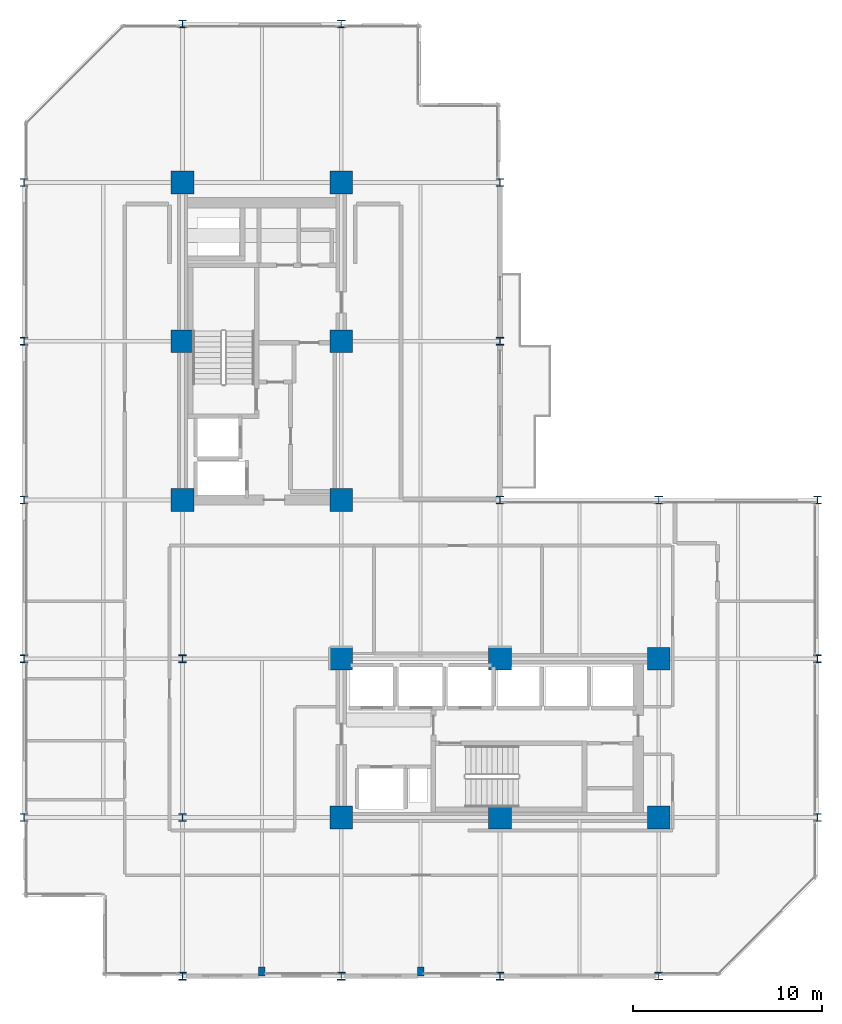
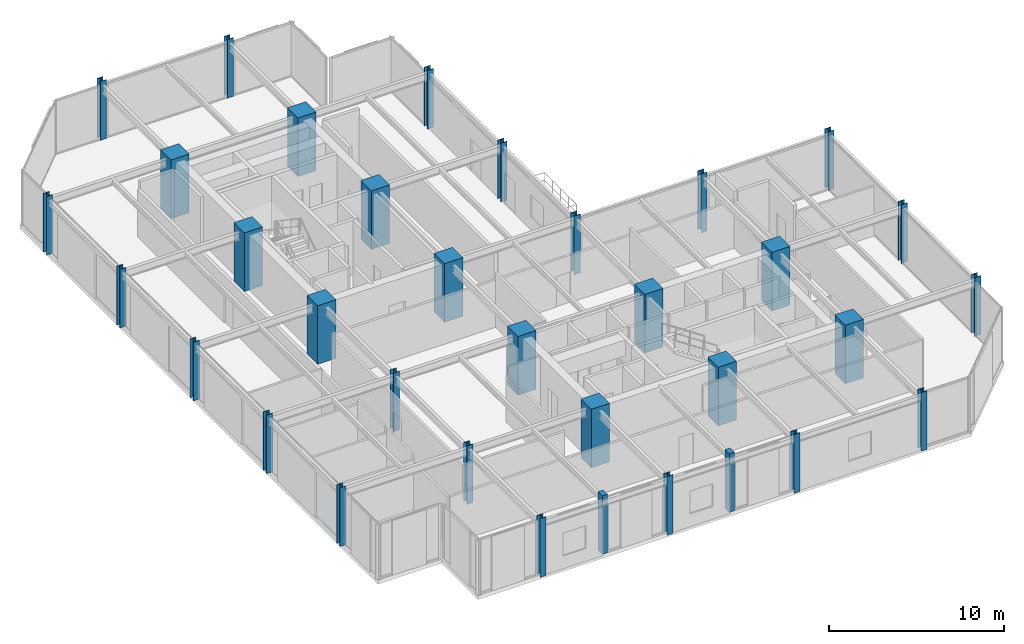
# One storey, part 1 of 29: 34 columns.
"""IFC4 building model written with IfcOpenShell, lengths in metres."""

from ifc_helpers import new_model, si_unit, direction, frame, origin, origin_2d, place, context, subcontext, project, spatial, rectangle, i_section, extrude, material, material_profile, profile_set, type_object, element, save


model = new_model("IFC4")

# Units and contexts
model_context = context("Model", 3, precision=1e-05, world=origin(), true_north=direction((0.0, 1.0)))
body_context = subcontext(model_context, "Body", "Model", "MODEL_VIEW")
ifc_project = project(units=[si_unit("LENGTHUNIT", "METRE"), si_unit("AREAUNIT", "SQUARE_METRE"), si_unit("VOLUMEUNIT", "CUBIC_METRE"), si_unit("PLANEANGLEUNIT", "RADIAN"), si_unit("MASSUNIT", "GRAM", prefix="KILO")], contexts=[model_context])

# Site, building, storey
site_placement = place(None, origin())
site = spatial("IfcSite", under=ifc_project, at=site_placement, CompositionType="ELEMENT")
building_placement = place(site_placement, origin())
building = spatial("IfcBuilding", under=site, at=building_placement, Name="Nerrivon Quay Data Exchange", CompositionType="ELEMENT")
storey_placement = place(building_placement, frame((0.0, 0.0, 145.89990234375)))
storey = spatial("IfcBuildingStorey", under=building, at=storey_placement, Name="L34", CompositionType="ELEMENT", Elevation=145.89990234375)

# Columns
ifc_material_1 = material(Name="Concrete S65 (65 MPa)", Category="concrete")
ifc_material_profile_1 = material_profile(ifc_material_1, rectangle(XDim=1.199951171875, YDim=1.199951171875, at=origin_2d()), Name="RC-COL-1200x1200")
ifc_profile_set_1 = profile_set([ifc_material_profile_1], Name="Concrete S65 (65 MPa)")
column_type_1 = type_object("IfcColumnType", Name="COL-C3-1200", PredefinedType="COLUMN", material=ifc_profile_set_1)
for number, where, z_axis, x_axis, name in (
    (1, (8.39990234375, 25.199951171875, 0.0), (0.0, 0.0, 1.0), (1.0, 0.0, 0.0), "L34 Column (8.4,25.2)"),
    (2, (8.39990234375, 33.60009765625, 0.0), (0.0, 0.0, 1.0), (1.0, 0.0, 0.0), "L34 Column (8.4,33.6)"),
    (3, (8.39990234375, 42.0, 0.0), (0.0, 0.0, 1.0), (1.0, 0.0, 0.0), "L34 Column (8.4,42.0)"),
    (4, (16.800048828125, 8.39990234375, 0.0), (0.0, 0.0, 1.0), (1.0, 0.0, 0.0), "L34 Column (16.8,8.4)"),
    (5, (16.800048828125, 16.800048828125, 0.0), (0.0, 0.0, 1.0), (1.0, 0.0, 0.0), "L34 Column (16.8,16.8)"),
    (6, (16.800048828125, 25.199951171875, 0.0), (0.0, 0.0, 1.0), (1.0, 0.0, 0.0), "L34 Column (16.8,25.2)"),
    (7, (16.800048828125, 33.60009765625, 0.0), (0.0, 0.0, 1.0), (1.0, 0.0, 0.0), "L34 Column (16.8,33.6)"),
    (8, (16.800048828125, 42.0, 0.0), (0.0, 0.0, 1.0), (1.0, 0.0, 0.0), "L34 Column (16.8,42.0)"),
    (9, (25.199951171875, 8.39990234375, 0.0), (0.0, 0.0, 1.0), (1.0, 0.0, 0.0), "L34 Column (25.2,8.4)"),
    (10, (25.199951171875, 16.800048828125, 0.0), (0.0, 0.0, 1.0), (1.0, 0.0, 0.0), "L34 Column (25.2,16.8)"),
    (11, (33.60009765625, 8.39990234375, 0.0), (0.0, 0.0, 1.0), (1.0, 0.0, 0.0), "L34 Column (33.6,8.4)"),
    (12, (33.60009765625, 16.800048828125, 0.0), (0.0, 0.0, 1.0), (1.0, 0.0, 0.0), "L34 Column (33.6,16.8)"),
):
    element("IfcColumn", number, at=place(storey_placement, frame(where, z_axis=z_axis, x_axis=x_axis)), inside=storey, type_object=column_type_1, Name=name, PredefinedType="COLUMN", context=body_context, shape_type="SweptSolid", body=[
        extrude(rectangle(XDim=1.199951171875, YDim=1.199951171875, at=origin_2d()), origin(), (0.0, 0.0, 1.0), 4.10009765625),
    ])
ifc_material_2 = material(Name="Steel Grade 350", Category="steel")
ifc_material_profile_2 = material_profile(ifc_material_2, i_section(OverallWidth=0.39990234375, OverallDepth=0.39990234375, WebThickness=0.02490234375, FlangeThickness=0.0400390625, at=origin_2d()), Name="400WC328")
ifc_profile_set_2 = profile_set([ifc_material_profile_2], Name="Steel Grade 350")
column_type_2 = type_object("IfcColumnType", Name="COL-SC2-400WC", PredefinedType="COLUMN", material=ifc_profile_set_2)
for number, where, z_axis, x_axis, name in (
    (13, (0.0, 8.39990234375, 0.0), (0.0, 0.0, 1.0), (1.0, 0.0, 0.0), "L34 Column (0.0,8.4)"),
    (14, (0.0, 16.800048828125, 0.0), (0.0, 0.0, 1.0), (1.0, 0.0, 0.0), "L34 Column (0.0,16.8)"),
    (15, (0.0, 25.199951171875, 0.0), (0.0, 0.0, 1.0), (1.0, 0.0, 0.0), "L34 Column (0.0,25.2)"),
    (16, (0.0, 33.60009765625, 0.0), (0.0, 0.0, 1.0), (1.0, 0.0, 0.0), "L34 Column (0.0,33.6)"),
    (17, (0.0, 42.0, 0.0), (0.0, 0.0, 1.0), (1.0, 0.0, 0.0), "L34 Column (0.0,42.0)"),
    (18, (8.39990234375, 0.0, 0.0), (0.0, 0.0, 1.0), (1.0, 0.0, 0.0), "L34 Column (8.4,0.0)"),
    (19, (8.39990234375, 8.39990234375, 0.0), (0.0, 0.0, 1.0), (1.0, 0.0, 0.0), "L34 Column (8.4,8.4)"),
    (20, (8.39990234375, 16.800048828125, 0.0), (0.0, 0.0, 1.0), (1.0, 0.0, 0.0), "L34 Column (8.4,16.8)"),
    (21, (8.39990234375, 50.39990234375, 0.0), (0.0, 0.0, 1.0), (1.0, 0.0, 0.0), "L34 Column (8.4,50.4)"),
    (22, (16.800048828125, 0.0, 0.0), (0.0, 0.0, 1.0), (1.0, 0.0, 0.0), "L34 Column (16.8,0.0)"),
    (23, (16.800048828125, 50.39990234375, 0.0), (0.0, 0.0, 1.0), (1.0, 0.0, 0.0), "L34 Column (16.8,50.4)"),
    (24, (25.199951171875, 0.0, 0.0), (0.0, 0.0, 1.0), (1.0, 0.0, 0.0), "L34 Column (25.2,0.0)"),
    (25, (25.199951171875, 25.199951171875, 0.0), (0.0, 0.0, 1.0), (1.0, 0.0, 0.0), "L34 Column (25.2,25.2)"),
    (26, (25.199951171875, 33.60009765625, 0.0), (0.0, 0.0, 1.0), (1.0, 0.0, 0.0), "L34 Column (25.2,33.6)"),
    (27, (25.199951171875, 42.0, 0.0), (0.0, 0.0, 1.0), (1.0, 0.0, 0.0), "L34 Column (25.2,42.0)"),
    (28, (33.60009765625, 0.0, 0.0), (0.0, 0.0, 1.0), (1.0, 0.0, 0.0), "L34 Column (33.6,0.0)"),
    (29, (33.60009765625, 25.199951171875, 0.0), (0.0, 0.0, 1.0), (1.0, 0.0, 0.0), "L34 Column (33.6,25.2)"),
    (30, (42.0, 8.39990234375, 0.0), (0.0, 0.0, 1.0), (1.0, 0.0, 0.0), "L34 Column (42.0,8.4)"),
    (31, (42.0, 16.800048828125, 0.0), (0.0, 0.0, 1.0), (1.0, 0.0, 0.0), "L34 Column (42.0,16.8)"),
    (32, (42.0, 25.199951171875, 0.0), (0.0, 0.0, 1.0), (1.0, 0.0, 0.0), "L34 Column (42.0,25.2)"),
):
    element("IfcColumn", number, at=place(storey_placement, frame(where, z_axis=z_axis, x_axis=x_axis)), inside=storey, type_object=column_type_2, Name=name, PredefinedType="COLUMN", context=body_context, shape_type="SweptSolid", body=[
        extrude(i_section(OverallWidth=0.39990234375, OverallDepth=0.39990234375, WebThickness=0.02490234375, FlangeThickness=0.0400390625, at=origin_2d()), origin(), (0.0, 0.0, 1.0), 4.10009765625),
    ])
ifc_material_3 = material(Name="Concrete N50 (50 MPa)", Category="concrete")
ifc_material_profile_3 = material_profile(ifc_material_3, rectangle(XDim=0.35009765625, YDim=0.5, at=origin_2d()), Name="RC-PIL-500x350")
ifc_profile_set_3 = profile_set([ifc_material_profile_3], Name="Concrete N50 (50 MPa)")
column_type_3 = type_object("IfcColumnType", Name="PIL-P2-500x350", PredefinedType="PILASTER", material=ifc_profile_set_3)
for number, where, z_axis, x_axis, name in (
    (33, (12.60009765625, 0.25, 0.0), (0.0, 0.0, 1.0), (1.0, 0.0, 0.0), "L34 Facade Pilaster (12.6)"),
    (34, (21.0, 0.25, 0.0), (0.0, 0.0, 1.0), (1.0, 0.0, 0.0), "L34 Facade Pilaster (21.0)"),
):
    element("IfcColumn", number, at=place(storey_placement, frame(where, z_axis=z_axis, x_axis=x_axis)), inside=storey, type_object=column_type_3, Name=name, PredefinedType="PILASTER", context=body_context, shape_type="SweptSolid", body=[
        extrude(rectangle(XDim=0.35009765625, YDim=0.5, at=origin_2d()), origin(), (0.0, 0.0, 1.0), 4.10009765625),
    ])

save(model, "model.ifc")
